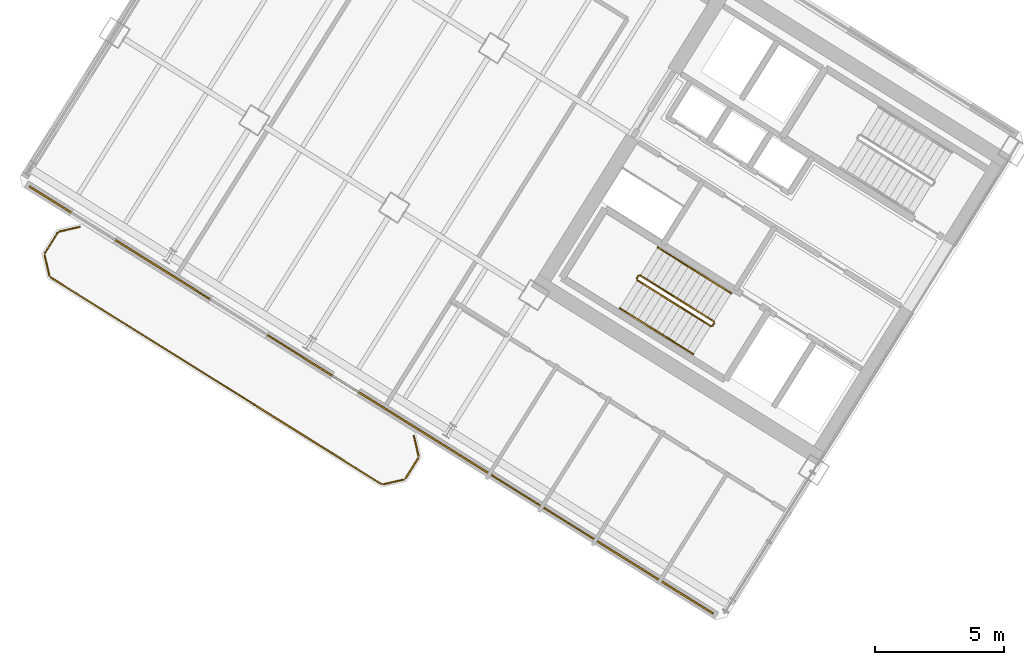
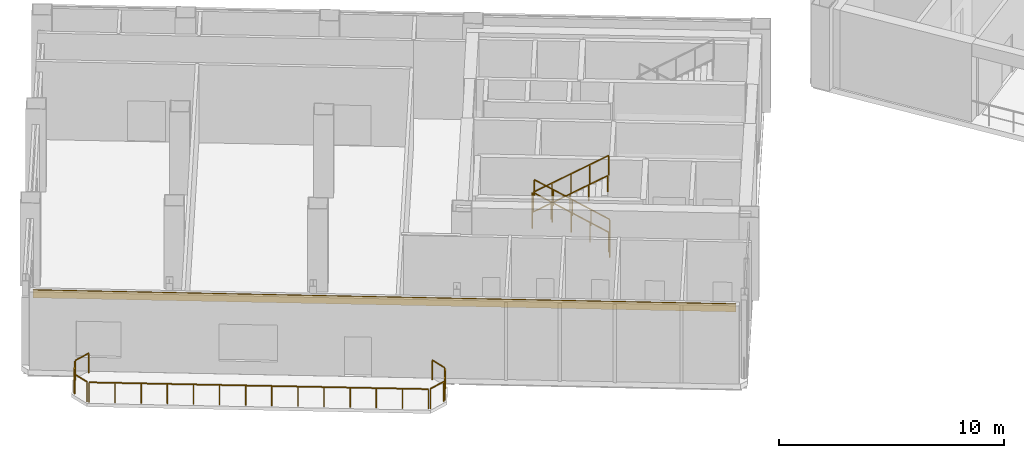
# One storey, part 14 of 18: 15 railings, 1 covering.
"""IFC4 building model written with IfcOpenShell, lengths in metres."""

from ifc_helpers import new_model, si_unit, direction, frame, origin, origin_2d, place, context, subcontext, project, spatial, rectangle, extrude, source, transform, mapped, material, layer, layer_set, type_object, element, save


model = new_model("IFC4")

# Units and contexts
model_context = context("Model", 3, precision=1e-05, world=origin(), true_north=direction((0.0, 1.0)))
body_context = subcontext(model_context, "Body", "Model", "MODEL_VIEW")
ifc_project = project(units=[si_unit("LENGTHUNIT", "METRE"), si_unit("AREAUNIT", "SQUARE_METRE"), si_unit("VOLUMEUNIT", "CUBIC_METRE"), si_unit("PLANEANGLEUNIT", "RADIAN"), si_unit("MASSUNIT", "GRAM", prefix="KILO")], contexts=[model_context])

# Site, building, storey
site_placement = place(None, origin())
site = spatial("IfcSite", under=ifc_project, at=site_placement, CompositionType="ELEMENT")
building_placement = place(site_placement, origin())
building = spatial("IfcBuilding", under=site, at=building_placement, Name="Tlacorven Tower", CompositionType="ELEMENT")
storey_placement = place(building_placement, frame((0.0, 0.0, 136.199951171875)))
storey = spatial("IfcBuildingStorey", under=building, at=storey_placement, Name="L34", CompositionType="ELEMENT", Elevation=136.199951171875)

# Railings
ifc_material_1 = material(Name="Aluminium and painted steel balustrade", Category="steel")
railing_type_1 = type_object("IfcRailingType", Name="RL-BAL-1100", PredefinedType="BALUSTRADE", material=ifc_material_1)
shared_shape_1 = source(origin(), body_context, "Body", "SweptSolid", [
    extrude(rectangle(XDim=0.048095703125, YDim=0.048095703125, at=origin_2d()), frame((0.0, 0.0, 1.076171875), z_axis=(0.225058334816, -0.974345290916, 0.0), x_axis=(0.974345290916, 0.225058334816, 0.0)), (0.0, 0.0, 1.0), 0.80712890625),
    extrude(rectangle(XDim=0.0419921875, YDim=0.0419921875, at=origin_2d()), origin(), (0.0, 0.0, 1.0), 1.052001953125),
    extrude(rectangle(XDim=0.0419921875, YDim=0.0419921875, at=origin_2d()), frame((0.181640625, -0.786376953125, 0.0)), (0.0, 0.0, 1.0), 1.052001953125),
])
railing_1_placement = place(storey_placement, frame((17.5244140625, 13.413330078125, 0.0)))
element("IfcRailing", 1, at=railing_1_placement, inside=storey, type_object=railing_type_1, Name="BAL-L34-W-OUT Guard Railing 1", PredefinedType="BALUSTRADE", context=body_context, shape_type="MappedRepresentation", body=[
    mapped(shared_shape_1, transform((0.0, 0.0, 0.0), scale=1.0)),
])
shared_shape_2 = source(origin(), body_context, "Body", "SweptSolid", [
    extrude(rectangle(XDim=0.048095703125, YDim=0.048095703125, at=origin_2d()), frame((0.0, 0.0, 1.076171875), z_axis=(-0.52987865805, -0.848073468364, 0.0), x_axis=(0.848073468364, -0.52987865805, 0.0)), (0.0, 0.0, 1.0), 0.912353515625),
    extrude(rectangle(XDim=0.0419921875, YDim=0.0419921875, at=origin_2d()), origin(), (0.0, 0.0, 1.0), 1.052001953125),
    extrude(rectangle(XDim=0.0419921875, YDim=0.0419921875, at=origin_2d()), frame((-0.4833984375, -0.773681640625, 0.0)), (0.0, 0.0, 1.0), 1.052001953125),
])
railing_2_placement = place(storey_placement, frame((17.690673828125, 12.535888671875, 0.0)))
element("IfcRailing", 2, at=railing_2_placement, inside=storey, type_object=railing_type_1, Name="BAL-L34-W-OUT Guard Railing 2", PredefinedType="BALUSTRADE", context=body_context, shape_type="MappedRepresentation", body=[
    mapped(shared_shape_2, transform((0.0, 0.0, 0.0), scale=1.0)),
])
shared_shape_3 = source(origin(), body_context, "Body", "SweptSolid", [
    extrude(rectangle(XDim=0.048095703125, YDim=0.048095703125, at=origin_2d()), frame((0.0, 0.0, 1.076171875), z_axis=(-0.974411586182, -0.224771129628, 0.0), x_axis=(0.224771129628, -0.974411586182, 0.0)), (0.0, 0.0, 1.0), 0.80712890625),
    extrude(rectangle(XDim=0.0419921875, YDim=0.0419921875, at=origin_2d()), origin(), (0.0, 0.0, 1.0), 1.052001953125),
    extrude(rectangle(XDim=0.0419921875, YDim=0.0419921875, at=origin_2d()), frame((-0.786376953125, -0.181396484375, 0.0)), (0.0, 0.0, 1.0), 1.052001953125),
])
railing_3_placement = place(storey_placement, frame((17.132080078125, 11.70849609375, 0.0)))
element("IfcRailing", 3, at=railing_3_placement, inside=storey, type_object=railing_type_1, Name="BAL-L34-W-OUT Guard Railing 3", PredefinedType="BALUSTRADE", context=body_context, shape_type="MappedRepresentation", body=[
    mapped(shared_shape_3, transform((0.0, 0.0, 0.0), scale=1.0)),
])
shared_shape_4 = source(origin(), body_context, "Body", "SweptSolid", [
    extrude(rectangle(XDim=0.048095703125, YDim=0.048095703125, at=origin_2d()), frame((0.0, 0.0, 1.076171875), z_axis=(-0.848044572804, 0.529924902733, 0.0), x_axis=(-0.529924902733, -0.848044572804, 0.0)), (0.0, 0.0, 1.0), 15.1171875),
    extrude(rectangle(XDim=0.0419921875, YDim=0.0419921875, at=origin_2d()), origin(), (0.0, 0.0, 1.0), 1.052001953125),
    extrude(rectangle(XDim=0.0419921875, YDim=0.0419921875, at=origin_2d()), frame((-0.986083984375, 0.6162109375, 0.0)), (0.0, 0.0, 1.0), 1.052001953125),
    extrude(rectangle(XDim=0.0419921875, YDim=0.0419921875, at=origin_2d()), frame((-1.972412109375, 1.232421875, 0.0)), (0.0, 0.0, 1.0), 1.052001953125),
    extrude(rectangle(XDim=0.0419921875, YDim=0.0419921875, at=origin_2d()), frame((-2.95849609375, 1.8486328125, 0.0)), (0.0, 0.0, 1.0), 1.052001953125),
    extrude(rectangle(XDim=0.0419921875, YDim=0.0419921875, at=origin_2d()), frame((-3.944580078125, 2.46484375, 0.0)), (0.0, 0.0, 1.0), 1.052001953125),
    extrude(rectangle(XDim=0.0419921875, YDim=0.0419921875, at=origin_2d()), frame((-4.930908203125, 3.0810546875, 0.0)), (0.0, 0.0, 1.0), 1.052001953125),
    extrude(rectangle(XDim=0.0419921875, YDim=0.0419921875, at=origin_2d()), frame((-5.9169921875, 3.697265625, 0.0)), (0.0, 0.0, 1.0), 1.052001953125),
    extrude(rectangle(XDim=0.0419921875, YDim=0.0419921875, at=origin_2d()), frame((-6.903076171875, 4.313720703125, 0.0)), (0.0, 0.0, 1.0), 1.052001953125),
    extrude(rectangle(XDim=0.0419921875, YDim=0.0419921875, at=origin_2d()), frame((-7.88916015625, 4.929931640625, 0.0)), (0.0, 0.0, 1.0), 1.052001953125),
    extrude(rectangle(XDim=0.0419921875, YDim=0.0419921875, at=origin_2d()), frame((-8.87548828125, 5.546142578125, 0.0)), (0.0, 0.0, 1.0), 1.052001953125),
    extrude(rectangle(XDim=0.0419921875, YDim=0.0419921875, at=origin_2d()), frame((-9.861572265625, 6.162353515625, 0.0)), (0.0, 0.0, 1.0), 1.052001953125),
    extrude(rectangle(XDim=0.0419921875, YDim=0.0419921875, at=origin_2d()), frame((-10.84765625, 6.778564453125, 0.0)), (0.0, 0.0, 1.0), 1.052001953125),
    extrude(rectangle(XDim=0.0419921875, YDim=0.0419921875, at=origin_2d()), frame((-11.833984375, 7.394775390625, 0.0)), (0.0, 0.0, 1.0), 1.052001953125),
    extrude(rectangle(XDim=0.0419921875, YDim=0.0419921875, at=origin_2d()), frame((-12.820068359375, 8.010986328125, 0.0)), (0.0, 0.0, 1.0), 1.052001953125),
])
railing_4_placement = place(storey_placement, frame((16.254638671875, 11.542236328125, 0.0)))
element("IfcRailing", 4, at=railing_4_placement, inside=storey, type_object=railing_type_1, Name="BAL-L34-W-OUT Guard Railing 4", PredefinedType="BALUSTRADE", context=body_context, shape_type="MappedRepresentation", body=[
    mapped(shared_shape_4, transform((0.0, 0.0, 0.0), scale=1.0)),
])
shared_shape_5 = source(origin(), body_context, "Body", "SweptSolid", [
    extrude(rectangle(XDim=0.048095703125, YDim=0.048095703125, at=origin_2d()), frame((0.0, 0.0, 1.076171875), z_axis=(-0.225058334816, 0.974345290916, 0.0), x_axis=(-0.974345290916, -0.225058334816, 0.0)), (0.0, 0.0, 1.0), 0.80712890625),
    extrude(rectangle(XDim=0.0419921875, YDim=0.0419921875, at=origin_2d()), origin(), (0.0, 0.0, 1.0), 1.052001953125),
    extrude(rectangle(XDim=0.0419921875, YDim=0.0419921875, at=origin_2d()), frame((-0.181640625, 0.786376953125, 0.0)), (0.0, 0.0, 1.0), 1.052001953125),
])
railing_5_placement = place(storey_placement, frame((3.380859375, 19.62841796875, 0.0)))
element("IfcRailing", 5, at=railing_5_placement, inside=storey, type_object=railing_type_1, Name="BAL-L34-W-OUT Guard Railing 5", PredefinedType="BALUSTRADE", context=body_context, shape_type="MappedRepresentation", body=[
    mapped(shared_shape_5, transform((0.0, 0.0, 0.0), scale=1.0)),
])
shared_shape_6 = source(origin(), body_context, "Body", "SweptSolid", [
    extrude(rectangle(XDim=0.048095703125, YDim=0.048095703125, at=origin_2d()), frame((0.0, 0.0, 1.076171875), z_axis=(0.52987865805, 0.848073468364, 0.0), x_axis=(-0.848073468364, 0.52987865805, 0.0)), (0.0, 0.0, 1.0), 0.912353515625),
    extrude(rectangle(XDim=0.0419921875, YDim=0.0419921875, at=origin_2d()), origin(), (0.0, 0.0, 1.0), 1.052001953125),
    extrude(rectangle(XDim=0.0419921875, YDim=0.0419921875, at=origin_2d()), frame((0.4833984375, 0.773681640625, 0.0)), (0.0, 0.0, 1.0), 1.052001953125),
])
railing_6_placement = place(storey_placement, frame((3.214599609375, 20.505859375, 0.0)))
element("IfcRailing", 6, at=railing_6_placement, inside=storey, type_object=railing_type_1, Name="BAL-L34-W-OUT Guard Railing 6", PredefinedType="BALUSTRADE", context=body_context, shape_type="MappedRepresentation", body=[
    mapped(shared_shape_6, transform((0.0, 0.0, 0.0), scale=1.0)),
])
shared_shape_7 = source(origin(), body_context, "Body", "SweptSolid", [
    extrude(rectangle(XDim=0.048095703125, YDim=0.048095703125, at=origin_2d()), frame((0.0, 0.0, 1.076171875), z_axis=(0.974345290916, 0.225058334816, 0.0), x_axis=(-0.225058334816, 0.974345290916, 0.0)), (0.0, 0.0, 1.0), 0.80712890625),
    extrude(rectangle(XDim=0.0419921875, YDim=0.0419921875, at=origin_2d()), origin(), (0.0, 0.0, 1.0), 1.052001953125),
    extrude(rectangle(XDim=0.0419921875, YDim=0.0419921875, at=origin_2d()), frame((0.786376953125, 0.181640625, 0.0)), (0.0, 0.0, 1.0), 1.052001953125),
])
railing_7_placement = place(storey_placement, frame((3.773193359375, 21.3330078125, 0.0)))
element("IfcRailing", 7, at=railing_7_placement, inside=storey, type_object=railing_type_1, Name="BAL-L34-W-OUT Guard Railing 7", PredefinedType="BALUSTRADE", context=body_context, shape_type="MappedRepresentation", body=[
    mapped(shared_shape_7, transform((0.0, 0.0, 0.0), scale=1.0)),
])

# Covering
ifc_material_2 = material(Name="Precast concrete C45/55", Category="concrete")
ifc_layer = layer(ifc_material_2, 0.06005859375)
ifc_layer_set = layer_set([ifc_layer], Name="Precast concrete C45/55")
covering_type = type_object("IfcCoveringType", Name="CV-CLD-TERC", PredefinedType="CLADDING", material=ifc_layer_set)
shared_shape_8 = source(origin(), body_context, "Body", "SweptSolid", [
    extrude(rectangle(XDim=31.287353515625, YDim=0.06005859375, at=origin_2d()), origin(), (0.0, 0.0, 1.0), 0.419921875),
])
covering_placement = place(storey_placement, frame((15.8740234375, 14.798828125, 3.830078125), z_axis=(0.0, 0.0, 1.0), x_axis=(-0.84804812172, 0.529919223323, 0.0)))
element("IfcCovering", 8, at=covering_placement, inside=storey, type_object=covering_type, Name="L34 Masonry-Frame Spandrel Cladding 1", PredefinedType="CLADDING", context=body_context, shape_type="MappedRepresentation", body=[
    mapped(shared_shape_8, transform((0.0, 0.0, 0.0), scale=1.0)),
])

# Railings
railing_type_2 = type_object("IfcRailingType", Name="RL-GRD-1100", PredefinedType="GUARDRAIL", material=ifc_material_1)
shared_shape_9 = source(origin(), body_context, "Body", "SweptSolid", [
    extrude(rectangle(XDim=0.048095703125, YDim=0.048095703125, at=origin_2d()), frame((0.0, 0.0, 1.076171875), z_axis=(-0.529084052582, -0.848569422795, 0.0), x_axis=(0.848569422795, -0.529084052582, 0.0)), (0.0, 0.0, 1.0), 0.119873046875),
    extrude(rectangle(XDim=0.0419921875, YDim=0.0419921875, at=origin_2d()), origin(), (0.0, 0.0, 1.0), 1.052001953125),
    extrude(rectangle(XDim=0.0419921875, YDim=0.0419921875, at=origin_2d()), frame((-0.0634765625, -0.101806640625, 0.0)), (0.0, 0.0, 1.0), 1.052001953125),
])
railing_8_placement = place(storey_placement, frame((29.176513671875, 17.782958984375, 0.0)))
element("IfcRailing", 9, at=railing_8_placement, inside=storey, type_object=railing_type_2, Name="L34 ST-W1 stair guard 4", PredefinedType="GUARDRAIL", context=body_context, shape_type="MappedRepresentation", body=[
    mapped(shared_shape_9, transform((0.0, 0.0, 0.0), scale=1.0)),
])
shared_shape_10 = source(origin(), body_context, "Body", "SweptSolid", [
    extrude(rectangle(XDim=0.048095703125, YDim=0.048095703125, at=origin_2d()), frame((0.0, 0.0, 1.076171875), z_axis=(-0.530546985787, -0.847655529016, 0.0), x_axis=(0.847655529016, -0.530546985787, 0.0)), (0.0, 0.0, 1.0), 0.1201171875),
    extrude(rectangle(XDim=0.0419921875, YDim=0.0419921875, at=origin_2d()), origin(), (0.0, 0.0, 1.0), 1.052001953125),
    extrude(rectangle(XDim=0.0419921875, YDim=0.0419921875, at=origin_2d()), frame((-0.063720703125, -0.101806640625, 0.0)), (0.0, 0.0, 1.0), 1.052001953125),
])
railing_9_placement = place(storey_placement, frame((26.242431640625, 19.616455078125, 2.25)))
element("IfcRailing", 10, at=railing_9_placement, inside=storey, type_object=railing_type_2, Name="L34 ST-W1 stair guard 2", PredefinedType="GUARDRAIL", context=body_context, shape_type="MappedRepresentation", body=[
    mapped(shared_shape_10, transform((0.0, 0.0, 0.0), scale=1.0)),
])
shared_shape_11 = source(origin(), body_context, "Body", "SweptSolid", [
    extrude(rectangle(XDim=0.048095703125, YDim=0.048095703125, at=origin_2d()), frame((0.0, 0.0, 1.076171875), z_axis=(-0.721354668439, 0.45076168254, 0.525795918465), x_axis=(-0.529927092104, -0.84804320471, 0.0)), (0.0, 0.0, 1.0), 3.949951171875),
    extrude(rectangle(XDim=0.0419921875, YDim=0.0419921875, at=origin_2d()), origin(), (0.0, 0.0, 1.0), 1.052001953125),
    extrude(rectangle(XDim=0.0419921875, YDim=0.0419921875, at=origin_2d()), frame((-0.71240234375, 0.445068359375, 0.519287109375)), (0.0, 0.0, 1.0), 1.052001953125),
    extrude(rectangle(XDim=0.0419921875, YDim=0.0419921875, at=origin_2d()), frame((-1.4248046875, 0.89013671875, 1.03857421875)), (0.0, 0.0, 1.0), 1.052001953125),
    extrude(rectangle(XDim=0.0419921875, YDim=0.0419921875, at=origin_2d()), frame((-2.136962890625, 1.33544921875, 1.5576171875)), (0.0, 0.0, 1.0), 1.052001953125),
    extrude(rectangle(XDim=0.0419921875, YDim=0.0419921875, at=origin_2d()), frame((-2.849365234375, 1.780517578125, 2.076904296875)), (0.0, 0.0, 1.0), 1.052001953125),
])
railing_10_placement = place(storey_placement, frame((29.16064453125, 17.851806640625, 0.173095703125)))
element("IfcRailing", 11, at=railing_10_placement, inside=storey, type_object=railing_type_2, Name="L34 ST-W1 stair guard 1", PredefinedType="GUARDRAIL", context=body_context, shape_type="MappedRepresentation", body=[
    mapped(shared_shape_11, transform((0.0, 0.0, 0.0), scale=1.0)),
])
shared_shape_12 = source(origin(), body_context, "Body", "SweptSolid", [
    extrude(rectangle(XDim=0.048095703125, YDim=0.048095703125, at=origin_2d()), frame((0.0, 0.0, 1.076171875), z_axis=(0.721384312238, -0.450741585774, 0.525772476372), x_axis=(0.52989443915, 0.848063608085, 0.0)), (0.0, 0.0, 1.0), 3.9501953125),
    extrude(rectangle(XDim=0.0419921875, YDim=0.0419921875, at=origin_2d()), origin(), (0.0, 0.0, 1.0), 1.052001953125),
    extrude(rectangle(XDim=0.0419921875, YDim=0.0419921875, at=origin_2d()), frame((0.71240234375, -0.445068359375, 0.519287109375)), (0.0, 0.0, 1.0), 1.052001953125),
    extrude(rectangle(XDim=0.0419921875, YDim=0.0419921875, at=origin_2d()), frame((1.4248046875, -0.89013671875, 1.03857421875)), (0.0, 0.0, 1.0), 1.052001953125),
    extrude(rectangle(XDim=0.0419921875, YDim=0.0419921875, at=origin_2d()), frame((2.13720703125, -1.33544921875, 1.5576171875)), (0.0, 0.0, 1.0), 1.052001953125),
    extrude(rectangle(XDim=0.0419921875, YDim=0.0419921875, at=origin_2d()), frame((2.849609375, -1.780517578125, 2.076904296875)), (0.0, 0.0, 1.0), 1.052001953125),
])
railing_11_placement = place(storey_placement, frame((26.194580078125, 19.44580078125, 2.423095703125)))
element("IfcRailing", 12, at=railing_11_placement, inside=storey, type_object=railing_type_2, Name="L34 ST-W1 stair guard 3", PredefinedType="GUARDRAIL", context=body_context, shape_type="MappedRepresentation", body=[
    mapped(shared_shape_12, transform((0.0, 0.0, 0.0), scale=1.0)),
])
railing_type_3 = type_object("IfcRailingType", Name="RL-HND-0900", PredefinedType="HANDRAIL", material=ifc_material_1)
shared_shape_13 = source(origin(), body_context, "Body", "SweptSolid", [
    extrude(rectangle(XDim=0.048095703125, YDim=0.048095703125, at=origin_2d()), frame((0.0, 0.0, 0.8759765625), z_axis=(-0.721340775611, 0.4507761838, 0.52580254617), x_axis=(-0.529946692594, -0.848030956397, 0.0)), (0.0, 0.0, 1.0), 1.97509765625),
    extrude(rectangle(XDim=0.0419921875, YDim=0.0419921875, at=origin_2d()), origin(), (0.0, 0.0, 1.0), 0.851806640625),
    extrude(rectangle(XDim=0.0419921875, YDim=0.0419921875, at=origin_2d()), frame((-0.71240234375, 0.4453125, 0.519287109375)), (0.0, 0.0, 1.0), 0.851806640625),
    extrude(rectangle(XDim=0.0419921875, YDim=0.0419921875, at=origin_2d()), frame((-1.4248046875, 0.890380859375, 1.03857421875)), (0.0, 0.0, 1.0), 0.851806640625),
])
railing_12_placement = place(storey_placement, frame((29.839111328125, 18.937255859375, 0.173095703125)))
element("IfcRailing", 13, at=railing_12_placement, inside=storey, type_object=railing_type_3, Name="L34 ST-W1 stair handrail 1", PredefinedType="HANDRAIL", context=body_context, shape_type="MappedRepresentation", body=[
    mapped(shared_shape_13, transform((0.0, 0.0, 0.0), scale=1.0)),
])
shared_shape_14 = source(origin(), body_context, "Body", "SweptSolid", [
    extrude(rectangle(XDim=0.048095703125, YDim=0.048095703125, at=origin_2d()), frame((0.0, 0.0, 0.8759765625), z_axis=(-0.721427851237, 0.45070698177, 0.525742400842), x_axis=(-0.52984217967, -0.848096259066, 0.0)), (0.0, 0.0, 1.0), 1.97509765625),
    extrude(rectangle(XDim=0.0419921875, YDim=0.0419921875, at=origin_2d()), origin(), (0.0, 0.0, 1.0), 0.851806640625),
    extrude(rectangle(XDim=0.0419921875, YDim=0.0419921875, at=origin_2d()), frame((-0.71240234375, 0.445068359375, 0.51904296875)), (0.0, 0.0, 1.0), 0.851806640625),
    extrude(rectangle(XDim=0.0419921875, YDim=0.0419921875, at=origin_2d()), frame((-1.4248046875, 0.89013671875, 1.038330078125)), (0.0, 0.0, 1.0), 0.851806640625),
])
railing_13_placement = place(storey_placement, frame((28.414306640625, 19.82763671875, 1.211669921875)))
element("IfcRailing", 14, at=railing_13_placement, inside=storey, type_object=railing_type_3, Name="L34 ST-W1 stair handrail 2", PredefinedType="HANDRAIL", context=body_context, shape_type="MappedRepresentation", body=[
    mapped(shared_shape_14, transform((0.0, 0.0, 0.0), scale=1.0)),
])
shared_shape_15 = source(origin(), body_context, "Body", "SweptSolid", [
    extrude(rectangle(XDim=0.048095703125, YDim=0.048095703125, at=origin_2d()), frame((0.0, 0.0, 0.8759765625), z_axis=(0.721340775611, -0.4507761838, 0.52580254617), x_axis=(0.529946692594, 0.848030956397, 0.0)), (0.0, 0.0, 1.0), 1.97509765625),
    extrude(rectangle(XDim=0.0419921875, YDim=0.0419921875, at=origin_2d()), origin(), (0.0, 0.0, 1.0), 0.851806640625),
    extrude(rectangle(XDim=0.0419921875, YDim=0.0419921875, at=origin_2d()), frame((0.71240234375, -0.4453125, 0.519287109375)), (0.0, 0.0, 1.0), 0.851806640625),
    extrude(rectangle(XDim=0.0419921875, YDim=0.0419921875, at=origin_2d()), frame((1.4248046875, -0.890380859375, 1.03857421875)), (0.0, 0.0, 1.0), 0.851806640625),
])
railing_14_placement = place(storey_placement, frame((25.516357421875, 18.3603515625, 2.423095703125)))
element("IfcRailing", 15, at=railing_14_placement, inside=storey, type_object=railing_type_3, Name="L34 ST-W1 stair handrail 3", PredefinedType="HANDRAIL", context=body_context, shape_type="MappedRepresentation", body=[
    mapped(shared_shape_15, transform((0.0, 0.0, 0.0), scale=1.0)),
])
shared_shape_16 = source(origin(), body_context, "Body", "SweptSolid", [
    extrude(rectangle(XDim=0.048095703125, YDim=0.048095703125, at=origin_2d()), frame((0.0, 0.0, 0.8759765625), z_axis=(0.72136856386, -0.450747178035, 0.525789289134), x_axis=(0.529907487405, 0.848055455022, 0.0)), (0.0, 0.0, 1.0), 1.974853515625),
    extrude(rectangle(XDim=0.0419921875, YDim=0.0419921875, at=origin_2d()), origin(), (0.0, 0.0, 1.0), 0.851806640625),
    extrude(rectangle(XDim=0.0419921875, YDim=0.0419921875, at=origin_2d()), frame((0.71240234375, -0.445068359375, 0.51904296875)), (0.0, 0.0, 1.0), 0.851806640625),
    extrude(rectangle(XDim=0.0419921875, YDim=0.0419921875, at=origin_2d()), frame((1.424560546875, -0.89013671875, 1.038330078125)), (0.0, 0.0, 1.0), 0.851806640625),
])
railing_15_placement = place(storey_placement, frame((26.941162109375, 17.469970703125, 3.461669921875)))
element("IfcRailing", 16, at=railing_15_placement, inside=storey, type_object=railing_type_3, Name="L34 ST-W1 stair handrail 4", PredefinedType="HANDRAIL", context=body_context, shape_type="MappedRepresentation", body=[
    mapped(shared_shape_16, transform((0.0, 0.0, 0.0), scale=1.0)),
])

save(model, "model.ifc")
